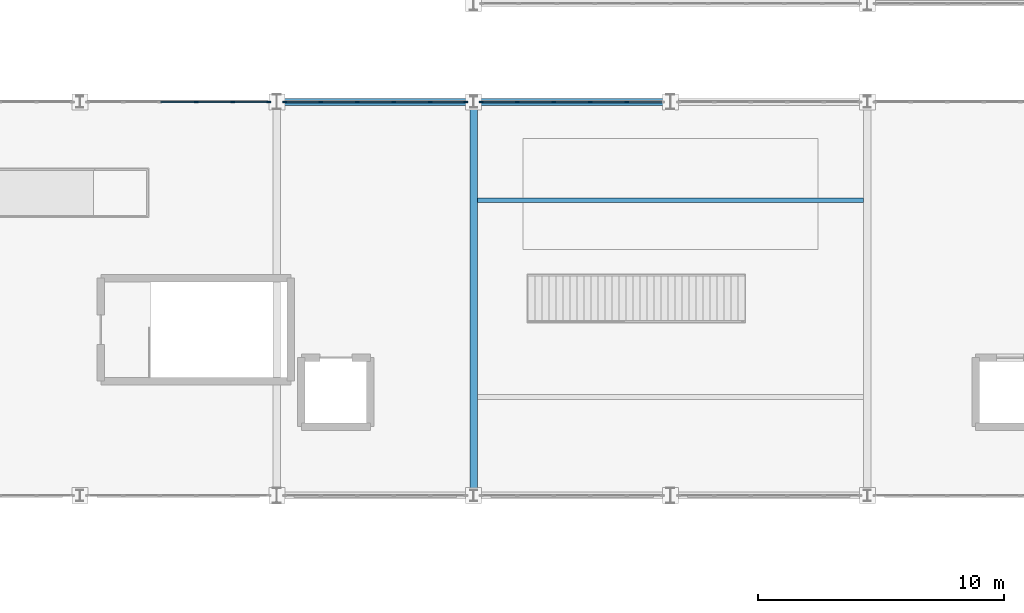
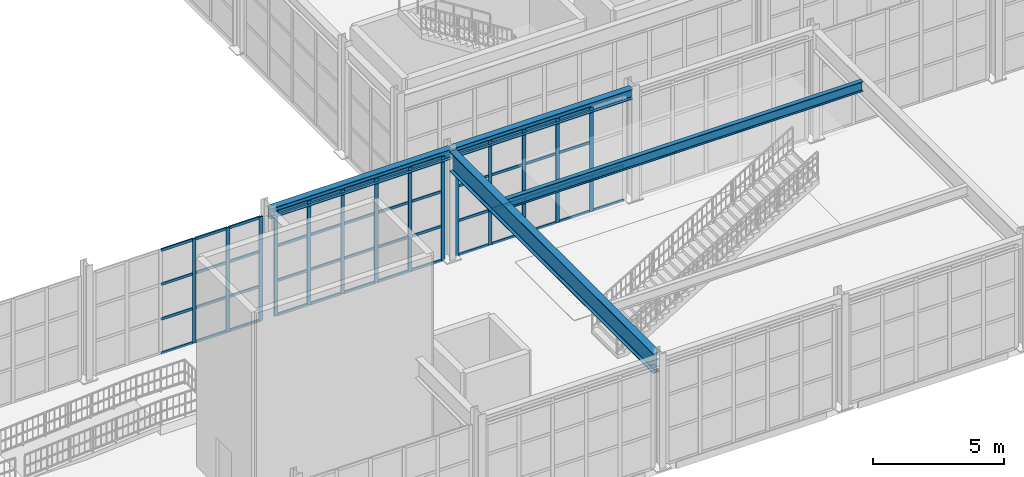
# One storey, part 31 of 82: 64 members, 4 beams, 3 elements without a shape of their own.
"""IFC4 building model written with IfcOpenShell, lengths in metres."""

import ifcopenshell
import ifcopenshell.guid

model = None  # the IFC model being written
_history = None  # IfcOwnerHistory: only IFC2X3 demands one
_inside = {}  # id of a spatial element -> (the spatial element, [elements in it])
_under = {}  # id of a project, library or spatial element -> (it, [spatial elements below it])
_declared = {}  # id of a project -> (the project, [libraries it declares])
_typed = {}  # id of a type object -> (the type object, [elements of that type])
_made_of = {}  # id of a material, layer set ... -> (it, [elements and type objects made of it])


def new_model(schema):
    """Start an empty IFC model of exactly this schema.

    Asked for "IFC4X3", IfcOpenShell would pick the latest addendum, in which some entities
    have other attributes; the version numbers below select the first issue.
    IFC2X3 requires an IfcOwnerHistory on every rooted entity: one is made here for all.
    """
    global model, _history
    if schema == "IFC4X3":
        model = ifcopenshell.file(schema_version=(4, 3, 0, 0))
    else:
        model = ifcopenshell.file(schema=schema)
    _inside.clear()
    _under.clear()
    _declared.clear()
    _typed.clear()
    _made_of.clear()
    _history = None
    if model.schema == "IFC2X3":
        org = make("IfcOrganization", Name="unknown")
        user = make(
            "IfcPersonAndOrganization",
            ThePerson=make("IfcPerson", FamilyName="unknown"),
            TheOrganization=org,
        )
        app = make(
            "IfcApplication",
            ApplicationDeveloper=org,
            Version="unknown",
            ApplicationFullName="unknown",
            ApplicationIdentifier="unknown",
        )
        _history = make(
            "IfcOwnerHistory",
            OwningUser=user,
            OwningApplication=app,
            ChangeAction="ADDED",
            CreationDate=0,
        )
    return model


def make(cls, **values):
    """One entity of the class cls with the attributes given. An attribute that is None is left unset."""
    return model.create_entity(
        cls, **{name: value for name, value in values.items() if value is not None}
    )


def rooted(cls, **values):
    """An entity with a GlobalId (a new one), such as an element, a storey or a relation."""
    return make(cls, GlobalId=ifcopenshell.guid.new(), OwnerHistory=_history, **values)


def si_unit(unit_type, name, prefix=None):
    """IfcSIUnit, for example si_unit("LENGTHUNIT", "METRE", prefix="MILLI")."""
    return make("IfcSIUnit", UnitType=unit_type, Prefix=prefix, Name=name)


def assignment(units):
    """IfcUnitAssignment: the units of a project."""
    return None if units is None else make("IfcUnitAssignment", Units=units)


def point(xyz):
    """IfcCartesianPoint."""
    return None if xyz is None else make("IfcCartesianPoint", Coordinates=xyz)


def direction(xyz):
    """IfcDirection."""
    return None if xyz is None else make("IfcDirection", DirectionRatios=xyz)


def frame(location, z_axis=None, x_axis=None):
    """IfcAxis2Placement3D, a coordinate frame: its origin and axes. An axis left out is left unset."""
    return make(
        "IfcAxis2Placement3D",
        Location=point(location),
        Axis=direction(z_axis),
        RefDirection=direction(x_axis),
    )


def frame_2d(location, x_axis=None):
    """IfcAxis2Placement2D, a coordinate frame in the plane: its origin and x axis."""
    return make(
        "IfcAxis2Placement2D", Location=point(location), RefDirection=direction(x_axis)
    )


def origin():
    """The frame at (0, 0, 0) with its axes left unset."""
    return frame((0.0, 0.0, 0.0))


def origin_2d():
    """The frame at (0, 0) in the plane with its x axis left unset."""
    return frame_2d((0.0, 0.0))


def place(relative_to, where):
    """IfcLocalPlacement: puts the frame where relative to a parent placement (None: the world)."""
    return make(
        "IfcLocalPlacement", PlacementRelTo=relative_to, RelativePlacement=where
    )


def context(
    kind, dimensions, precision=None, world=None, true_north=None, identifier=None
):
    """IfcGeometricRepresentationContext, for example the 3D "Model" context."""
    return make(
        "IfcGeometricRepresentationContext",
        ContextIdentifier=identifier,
        ContextType=kind,
        CoordinateSpaceDimension=dimensions,
        Precision=precision,
        WorldCoordinateSystem=world,
        TrueNorth=true_north,
    )


def subcontext(parent, identifier, kind, view, scale=None):
    """IfcGeometricRepresentationSubContext, for example "Body" below "Model"."""
    return make(
        "IfcGeometricRepresentationSubContext",
        ContextIdentifier=identifier,
        ContextType=kind,
        ParentContext=parent,
        TargetScale=scale,
        TargetView=view,
    )


def project(units=None, contexts=None):
    """IfcProject with its units and contexts."""
    return rooted(
        "IfcProject",
        Name="project",
        RepresentationContexts=contexts,
        UnitsInContext=assignment(units),
    )


def spatial(cls, under=None, at=None, **own):
    """A site, building, storey or space (cls), placed at a placement, below another one or the project."""
    s = rooted(cls, ObjectPlacement=at, **own)
    if under is not None:
        _under.setdefault(under.id(), (under, []))[1].append(s)
    return s


def profile(cls, at=None, kind="AREA", **sizes):
    """A parametric profile (cls). Its sizes go by their IFC names, for example OverallWidth=200.0."""
    return make(cls, ProfileType=kind, Position=at, **sizes)


def rectangle(**sizes):
    """IfcRectangleProfileDef."""
    return profile("IfcRectangleProfileDef", **sizes)


def i_section(**sizes):
    """IfcIShapeProfileDef."""
    return profile("IfcIShapeProfileDef", **sizes)


def extrude(swept, where, along, depth):
    """IfcExtrudedAreaSolid: the profile swept, set in the frame where, extruded along a direction by depth."""
    return make(
        "IfcExtrudedAreaSolid",
        SweptArea=swept,
        Position=where,
        ExtrudedDirection=direction(along),
        Depth=depth,
    )


def shape(context_of_items, identifier, shape_type, items):
    """IfcShapeRepresentation: the items that make up one representation, for example the "Body"."""
    return make(
        "IfcShapeRepresentation",
        ContextOfItems=context_of_items,
        RepresentationIdentifier=identifier,
        RepresentationType=shape_type,
        Items=items,
    )


def material(Name=None, Category=None):
    """IfcMaterial."""
    return make("IfcMaterial", Name=Name, Category=Category)


def material_profile(
    of_material, cross_section, Name=None, Category=None, Priority=None
):
    """IfcMaterialProfile: a cross section and its material."""
    return make(
        "IfcMaterialProfile",
        Name=Name,
        Material=of_material,
        Profile=cross_section,
        Priority=Priority,
        Category=Category,
    )


def profile_set(profiles, Name=None, composite=None):
    """IfcMaterialProfileSet."""
    return make(
        "IfcMaterialProfileSet",
        Name=Name,
        MaterialProfiles=profiles,
        CompositeProfile=composite,
    )


def made_of(thing, what):
    """Note that an element or type object is made of a material, layer set ...; save() writes the relation."""
    if what is not None:
        _made_of.setdefault(what.id(), (what, []))[1].append(thing)
    return thing


def type_object(cls, material=None, **own):
    """A type object (cls), such as IfcWallType, which elements share."""
    return made_of(rooted(cls, **own), material)


def element(
    cls,
    number,
    at=None,
    inside=None,
    cuts=None,
    type_object=None,
    material=None,
    context=None,
    identifier="Body",
    shape_type=None,
    held_by="IfcProductDefinitionShape",
    body=None,
    shapes=None,
    **own,
):
    """One element of the class cls, such as IfcWall. Its Tag is "e" and its number.

    at: its placement. inside: the storey or other place that contains it. cuts: it is an
    opening in that element (IfcRelVoidsElement). A single representation is given by context,
    identifier, shape_type and body (its items); several are given by shapes. held_by: the class
    of the entity that holds the representations. save() writes the other relations.
    """
    e = rooted(cls, Tag="e%d" % number, ObjectPlacement=at, **own)
    if body is not None:
        shapes = [shape(context, identifier, shape_type, body)]
    if shapes is not None:
        e.Representation = make(held_by, Representations=shapes)
    if inside is not None:
        _inside.setdefault(inside.id(), (inside, []))[1].append(e)
    if cuts is not None:
        rooted(
            "IfcRelVoidsElement", RelatingBuildingElement=cuts, RelatedOpeningElement=e
        )
    if type_object is not None:
        _typed.setdefault(type_object.id(), (type_object, []))[1].append(e)
    return made_of(e, material)


def aggregate(whole, parts):
    """IfcRelAggregates: a whole, such as a stair, and the parts it consists of."""
    return rooted("IfcRelAggregates", RelatingObject=whole, RelatedObjects=parts)


def save(model, path):
    """Write the relations noted so far, then the file.

    IfcRelAggregates (storeys below a building ...), IfcRelContainedInSpatialStructure (elements
    in a storey), IfcRelDefinesByType, IfcRelAssociatesMaterial and IfcRelDeclares: one each for
    every whole, place, type object, material and project.
    """
    for whole, parts in _under.values():
        aggregate(whole, parts)
    for where, things in _inside.values():
        rooted(
            "IfcRelContainedInSpatialStructure",
            RelatedElements=things,
            RelatingStructure=where,
        )
    for kind, things in _typed.values():
        rooted("IfcRelDefinesByType", RelatedObjects=things, RelatingType=kind)
    for what, things in _made_of.values():
        rooted("IfcRelAssociatesMaterial", RelatedObjects=things, RelatingMaterial=what)
    for by, libraries in _declared.values():
        rooted("IfcRelDeclares", RelatingContext=by, RelatedDefinitions=libraries)
    model.write(path)


model = new_model("IFC4")

# Units and contexts
model_context = context("Model", 3, precision=1e-05, world=origin(), true_north=direction((0.0, 1.0)))
body_context = subcontext(model_context, "Body", "Model", "MODEL_VIEW")
ifc_project = project(units=[si_unit("LENGTHUNIT", "METRE"), si_unit("AREAUNIT", "SQUARE_METRE"), si_unit("VOLUMEUNIT", "CUBIC_METRE"), si_unit("PLANEANGLEUNIT", "RADIAN"), si_unit("MASSUNIT", "GRAM", prefix="KILO")], contexts=[model_context])

# Site, building, storey
site_placement = place(None, origin())
site = spatial("IfcSite", under=ifc_project, at=site_placement, CompositionType="ELEMENT")
building_placement = place(site_placement, origin())
building = spatial("IfcBuilding", under=site, at=building_placement, Name="Serraluz Foothill Cableway Terminal", CompositionType="ELEMENT")
storey_placement = place(building_placement, frame((0.0, 0.0, 9.60009765625)))
storey = spatial("IfcBuildingStorey", under=building, at=storey_placement, Name="L02", CompositionType="ELEMENT", Elevation=9.60009765625)

# Beam
ifc_material_1 = material(Name="Steel ASTM A992 Grade 50", Category="steel")
ifc_material_profile_1 = material_profile(ifc_material_1, i_section(OverallWidth=0.30810546875, OverallDepth=0.927001953125, WebThickness=0.019287109375, FlangeThickness=0.031982421875, FilletRadius=0.02587890625, at=origin_2d()), Name="W36X194")
ifc_profile_set_1 = profile_set([ifc_material_profile_1], Name="Steel ASTM A992 Grade 50")
beam_type_1 = type_object("IfcBeamType", Name="TYP-BM-W36X194", PredefinedType="BEAM", material=ifc_profile_set_1)
beam_1_placement = place(storey_placement, frame((80.0, 56.23193359375, 4.6865234375), z_axis=(0.0, 1.0, 0.0), x_axis=(-1.0, 0.0, 0.0)))
element("IfcBeam", 1, at=beam_1_placement, inside=storey, type_object=beam_type_1, Name="Transverse Girder BM-Y-L02-0330", PredefinedType="BEAM", context=body_context, shape_type="SweptSolid", body=[
    extrude(i_section(OverallWidth=0.30810546875, OverallDepth=0.927001953125, WebThickness=0.019287109375, FlangeThickness=0.031982421875, FilletRadius=0.02587890625, at=origin_2d()), origin(), (0.0, 0.0, 1.0), 15.5361328125),
])

# Curtain wall, members
ifc_material_2 = material(Name="Architectural bronze alloy C28000", Category="aluminium")
curtain_wall_type_1 = type_object("IfcCurtainWallType", Name="TYP-CW-680X420", PredefinedType="NOTDEFINED", material=ifc_material_2)
curtain_wall_1_placement = place(storey_placement, origin())
curtain_wall_1 = element("IfcCurtainWall", 2, at=curtain_wall_1_placement, inside=storey, type_object=curtain_wall_type_1, Name="Ribbed Glazed Curtain Wall CW-V1N-L02-64", PredefinedType="NOTDEFINED")
ifc_material_profile_2 = material_profile(ifc_material_2, rectangle(XDim=0.06005859375, YDim=0.159912109375, at=origin_2d()), Name="ALU MULLION 60x160")
ifc_profile_set_2 = profile_set([ifc_material_profile_2], Name="Architectural bronze alloy C28000")
member_type_1 = type_object("IfcMemberType", Name="TYP-CW-MUL-60X160", PredefinedType="MULLION", material=ifc_profile_set_2)
member_1_placement = place(storey_placement, frame((68.731201171875, 72.0, 0.0), z_axis=(0.0, 0.0, 1.0), x_axis=(0.0, 1.0, 0.0)))
member_1 = element("IfcMember", 3, at=member_1_placement, type_object=member_type_1, Name="CW-13 mullion 4", PredefinedType="MULLION", context=body_context, shape_type="SweptSolid", body=[
    extrude(rectangle(XDim=0.06005859375, YDim=0.159912109375, at=origin_2d()), origin(), (0.0, 0.0, 1.0), 4.849853515625),
])
member_2_placement = place(storey_placement, frame((70.21435546875, 72.0, 0.0), z_axis=(0.0, 0.0, 1.0), x_axis=(0.0, 1.0, 0.0)))
member_2 = element("IfcMember", 4, at=member_2_placement, type_object=member_type_1, Name="CW-13 mullion 5", PredefinedType="MULLION", context=body_context, shape_type="SweptSolid", body=[
    extrude(rectangle(XDim=0.06005859375, YDim=0.159912109375, at=origin_2d()), origin(), (0.0, 0.0, 1.0), 4.849853515625),
])
member_3_placement = place(storey_placement, frame((71.66748046875, 72.0, 0.0), z_axis=(0.0, 0.0, 1.0), x_axis=(0.0, 1.0, 0.0)))
member_3 = element("IfcMember", 5, at=member_3_placement, type_object=member_type_1, Name="CW-13 mullion 6", PredefinedType="MULLION", context=body_context, shape_type="SweptSolid", body=[
    extrude(rectangle(XDim=0.06005859375, YDim=0.159912109375, at=origin_2d()), origin(), (0.0, 0.0, 1.0), 4.849853515625),
])

curtain_wall_type_2 = type_object("IfcCurtainWallType", Name="TYP-CW-480X380", PredefinedType="NOTDEFINED", material=ifc_material_2)
curtain_wall_2_placement = place(storey_placement, origin())
curtain_wall_2 = element("IfcCurtainWall", 6, at=curtain_wall_2_placement, inside=storey, type_object=curtain_wall_type_2, Name="Ribbed Glazed Curtain Wall CW-V1N-L02-72", PredefinedType="NOTDEFINED")
member_4_placement = place(storey_placement, frame((72.33251953125, 72.0, 0.0), z_axis=(0.0, 0.0, 1.0), x_axis=(0.0, 1.0, 0.0)))
member_4 = element("IfcMember", 7, at=member_4_placement, type_object=member_type_1, Name="CW-14 mullion 1", PredefinedType="MULLION", context=body_context, shape_type="SweptSolid", body=[
    extrude(rectangle(XDim=0.06005859375, YDim=0.159912109375, at=origin_2d()), origin(), (0.0, 0.0, 1.0), 4.849853515625),
])
member_5_placement = place(storey_placement, frame((73.78564453125, 72.0, 0.0), z_axis=(0.0, 0.0, 1.0), x_axis=(0.0, 1.0, 0.0)))
member_5 = element("IfcMember", 8, at=member_5_placement, type_object=member_type_1, Name="CW-14 mullion 2", PredefinedType="MULLION", context=body_context, shape_type="SweptSolid", body=[
    extrude(rectangle(XDim=0.06005859375, YDim=0.159912109375, at=origin_2d()), origin(), (0.0, 0.0, 1.0), 4.849853515625),
])
member_6_placement = place(storey_placement, frame((75.268798828125, 72.0, 0.0), z_axis=(0.0, 0.0, 1.0), x_axis=(0.0, 1.0, 0.0)))
member_6 = element("IfcMember", 9, at=member_6_placement, type_object=member_type_1, Name="CW-14 mullion 3", PredefinedType="MULLION", context=body_context, shape_type="SweptSolid", body=[
    extrude(rectangle(XDim=0.06005859375, YDim=0.159912109375, at=origin_2d()), origin(), (0.0, 0.0, 1.0), 4.849853515625),
])
member_7_placement = place(storey_placement, frame((76.752197265625, 72.0, 0.0), z_axis=(0.0, 0.0, 1.0), x_axis=(0.0, 1.0, 0.0)))
member_7 = element("IfcMember", 10, at=member_7_placement, type_object=member_type_1, Name="CW-14 mullion 4", PredefinedType="MULLION", context=body_context, shape_type="SweptSolid", body=[
    extrude(rectangle(XDim=0.06005859375, YDim=0.159912109375, at=origin_2d()), origin(), (0.0, 0.0, 1.0), 4.849853515625),
])
member_8_placement = place(storey_placement, frame((78.2353515625, 72.0, 0.0), z_axis=(0.0, 0.0, 1.0), x_axis=(0.0, 1.0, 0.0)))
member_8 = element("IfcMember", 11, at=member_8_placement, type_object=member_type_1, Name="CW-14 mullion 5", PredefinedType="MULLION", context=body_context, shape_type="SweptSolid", body=[
    extrude(rectangle(XDim=0.06005859375, YDim=0.159912109375, at=origin_2d()), origin(), (0.0, 0.0, 1.0), 4.849853515625),
])
member_9_placement = place(storey_placement, frame((79.6884765625, 72.0, 0.0), z_axis=(0.0, 0.0, 1.0), x_axis=(0.0, 1.0, 0.0)))
member_9 = element("IfcMember", 12, at=member_9_placement, type_object=member_type_1, Name="CW-14 mullion 6", PredefinedType="MULLION", context=body_context, shape_type="SweptSolid", body=[
    extrude(rectangle(XDim=0.06005859375, YDim=0.159912109375, at=origin_2d()), origin(), (0.0, 0.0, 1.0), 4.849853515625),
])

curtain_wall_type_3 = type_object("IfcCurtainWallType", Name="TYP-CW-480X420", PredefinedType="NOTDEFINED", material=ifc_material_2)
curtain_wall_3_placement = place(storey_placement, origin())
curtain_wall_3 = element("IfcCurtainWall", 13, at=curtain_wall_3_placement, inside=storey, type_object=curtain_wall_type_3, Name="Ribbed Glazed Curtain Wall CW-V1N-L02-80", PredefinedType="NOTDEFINED")
member_10_placement = place(storey_placement, frame((80.3115234375, 72.0, 0.0), z_axis=(0.0, 0.0, 1.0), x_axis=(0.0, 1.0, 0.0)))
member_10 = element("IfcMember", 14, at=member_10_placement, type_object=member_type_1, Name="CW-15 mullion 1", PredefinedType="MULLION", context=body_context, shape_type="SweptSolid", body=[
    extrude(rectangle(XDim=0.06005859375, YDim=0.159912109375, at=origin_2d()), origin(), (0.0, 0.0, 1.0), 4.849853515625),
])
member_11_placement = place(storey_placement, frame((81.7646484375, 72.0, 0.0), z_axis=(0.0, 0.0, 1.0), x_axis=(0.0, 1.0, 0.0)))
member_11 = element("IfcMember", 15, at=member_11_placement, type_object=member_type_1, Name="CW-15 mullion 2", PredefinedType="MULLION", context=body_context, shape_type="SweptSolid", body=[
    extrude(rectangle(XDim=0.06005859375, YDim=0.159912109375, at=origin_2d()), origin(), (0.0, 0.0, 1.0), 4.849853515625),
])
member_12_placement = place(storey_placement, frame((83.247802734375, 72.0, 0.0), z_axis=(0.0, 0.0, 1.0), x_axis=(0.0, 1.0, 0.0)))
member_12 = element("IfcMember", 16, at=member_12_placement, type_object=member_type_1, Name="CW-15 mullion 3", PredefinedType="MULLION", context=body_context, shape_type="SweptSolid", body=[
    extrude(rectangle(XDim=0.06005859375, YDim=0.159912109375, at=origin_2d()), origin(), (0.0, 0.0, 1.0), 4.849853515625),
])
member_13_placement = place(storey_placement, frame((84.731201171875, 72.0, 0.0), z_axis=(0.0, 0.0, 1.0), x_axis=(0.0, 1.0, 0.0)))
member_13 = element("IfcMember", 17, at=member_13_placement, type_object=member_type_1, Name="CW-15 mullion 4", PredefinedType="MULLION", context=body_context, shape_type="SweptSolid", body=[
    extrude(rectangle(XDim=0.06005859375, YDim=0.159912109375, at=origin_2d()), origin(), (0.0, 0.0, 1.0), 4.849853515625),
])
member_14_placement = place(storey_placement, frame((86.21435546875, 72.0, 0.0), z_axis=(0.0, 0.0, 1.0), x_axis=(0.0, 1.0, 0.0)))
member_14 = element("IfcMember", 18, at=member_14_placement, type_object=member_type_1, Name="CW-15 mullion 5", PredefinedType="MULLION", context=body_context, shape_type="SweptSolid", body=[
    extrude(rectangle(XDim=0.06005859375, YDim=0.159912109375, at=origin_2d()), origin(), (0.0, 0.0, 1.0), 4.849853515625),
])

# Member
ifc_material_profile_3 = material_profile(ifc_material_2, rectangle(XDim=0.06005859375, YDim=0.1201171875, at=origin_2d()), Name="ALU TRANSOM 60x120")
ifc_profile_set_3 = profile_set([ifc_material_profile_3], Name="Architectural bronze alloy C28000")
member_type_2 = type_object("IfcMemberType", Name="TYP-CW-TRN-60X120", PredefinedType="USERDEFINED", material=ifc_profile_set_3)
member_15_placement = place(storey_placement, frame((67.27783203125, 72.0, 0.02978515625), z_axis=(1.0, 0.0, 0.0), x_axis=(0.0, 1.0, 0.0)))
member_15 = element("IfcMember", 19, at=member_15_placement, type_object=member_type_2, Name="CW-13 transom 3.1", ObjectType="TRANSOM", PredefinedType="USERDEFINED", context=body_context, shape_type="SweptSolid", body=[
    extrude(rectangle(XDim=0.06005859375, YDim=0.1201171875, at=origin_2d()), origin(), (0.0, 0.0, 1.0), 1.42333984375),
])

member_16_placement = place(storey_placement, frame((67.27783203125, 72.0, 1.61669921875), z_axis=(1.0, 0.0, 0.0), x_axis=(0.0, 1.0, 0.0)))
member_16 = element("IfcMember", 20, at=member_16_placement, type_object=member_type_2, Name="CW-13 transom 3.2", ObjectType="TRANSOM", PredefinedType="USERDEFINED", context=body_context, shape_type="SweptSolid", body=[
    extrude(rectangle(XDim=0.06005859375, YDim=0.1201171875, at=origin_2d()), origin(), (0.0, 0.0, 1.0), 1.42333984375),
])

member_17_placement = place(storey_placement, frame((67.27783203125, 72.0, 3.233154296875), z_axis=(1.0, 0.0, 0.0), x_axis=(0.0, 1.0, 0.0)))
member_17 = element("IfcMember", 21, at=member_17_placement, type_object=member_type_2, Name="CW-13 transom 3.3", ObjectType="TRANSOM", PredefinedType="USERDEFINED", context=body_context, shape_type="SweptSolid", body=[
    extrude(rectangle(XDim=0.06005859375, YDim=0.1201171875, at=origin_2d()), origin(), (0.0, 0.0, 1.0), 1.42333984375),
])

member_18_placement = place(storey_placement, frame((67.27783203125, 72.0, 4.81982421875), z_axis=(1.0, 0.0, 0.0), x_axis=(0.0, 1.0, 0.0)))
member_18 = element("IfcMember", 22, at=member_18_placement, type_object=member_type_2, Name="CW-13 transom 3.4", ObjectType="TRANSOM", PredefinedType="USERDEFINED", context=body_context, shape_type="SweptSolid", body=[
    extrude(rectangle(XDim=0.06005859375, YDim=0.1201171875, at=origin_2d()), origin(), (0.0, 0.0, 1.0), 1.42333984375),
])

member_19_placement = place(storey_placement, frame((68.760986328125, 72.0, 0.02978515625), z_axis=(1.0, 0.0, 0.0), x_axis=(0.0, 1.0, 0.0)))
member_19 = element("IfcMember", 23, at=member_19_placement, type_object=member_type_2, Name="CW-13 transom 4.1", ObjectType="TRANSOM", PredefinedType="USERDEFINED", context=body_context, shape_type="SweptSolid", body=[
    extrude(rectangle(XDim=0.06005859375, YDim=0.1201171875, at=origin_2d()), origin(), (0.0, 0.0, 1.0), 1.42333984375),
])

member_20_placement = place(storey_placement, frame((68.760986328125, 72.0, 1.61669921875), z_axis=(1.0, 0.0, 0.0), x_axis=(0.0, 1.0, 0.0)))
member_20 = element("IfcMember", 24, at=member_20_placement, type_object=member_type_2, Name="CW-13 transom 4.2", ObjectType="TRANSOM", PredefinedType="USERDEFINED", context=body_context, shape_type="SweptSolid", body=[
    extrude(rectangle(XDim=0.06005859375, YDim=0.1201171875, at=origin_2d()), origin(), (0.0, 0.0, 1.0), 1.42333984375),
])

member_21_placement = place(storey_placement, frame((68.760986328125, 72.0, 3.233154296875), z_axis=(1.0, 0.0, 0.0), x_axis=(0.0, 1.0, 0.0)))
member_21 = element("IfcMember", 25, at=member_21_placement, type_object=member_type_2, Name="CW-13 transom 4.3", ObjectType="TRANSOM", PredefinedType="USERDEFINED", context=body_context, shape_type="SweptSolid", body=[
    extrude(rectangle(XDim=0.06005859375, YDim=0.1201171875, at=origin_2d()), origin(), (0.0, 0.0, 1.0), 1.42333984375),
])

member_22_placement = place(storey_placement, frame((68.760986328125, 72.0, 4.81982421875), z_axis=(1.0, 0.0, 0.0), x_axis=(0.0, 1.0, 0.0)))
member_22 = element("IfcMember", 26, at=member_22_placement, type_object=member_type_2, Name="CW-13 transom 4.4", ObjectType="TRANSOM", PredefinedType="USERDEFINED", context=body_context, shape_type="SweptSolid", body=[
    extrude(rectangle(XDim=0.06005859375, YDim=0.1201171875, at=origin_2d()), origin(), (0.0, 0.0, 1.0), 1.42333984375),
])

member_23_placement = place(storey_placement, frame((70.244384765625, 72.0, 0.02978515625), z_axis=(1.0, 0.0, 0.0), x_axis=(0.0, 1.0, 0.0)))
member_23 = element("IfcMember", 27, at=member_23_placement, type_object=member_type_2, Name="CW-13 transom 5.1", ObjectType="TRANSOM", PredefinedType="USERDEFINED", context=body_context, shape_type="SweptSolid", body=[
    extrude(rectangle(XDim=0.06005859375, YDim=0.1201171875, at=origin_2d()), origin(), (0.0, 0.0, 1.0), 1.39306640625),
])

member_24_placement = place(storey_placement, frame((70.244384765625, 72.0, 1.61669921875), z_axis=(1.0, 0.0, 0.0), x_axis=(0.0, 1.0, 0.0)))
member_24 = element("IfcMember", 28, at=member_24_placement, type_object=member_type_2, Name="CW-13 transom 5.2", ObjectType="TRANSOM", PredefinedType="USERDEFINED", context=body_context, shape_type="SweptSolid", body=[
    extrude(rectangle(XDim=0.06005859375, YDim=0.1201171875, at=origin_2d()), origin(), (0.0, 0.0, 1.0), 1.39306640625),
])

member_25_placement = place(storey_placement, frame((70.244384765625, 72.0, 3.233154296875), z_axis=(1.0, 0.0, 0.0), x_axis=(0.0, 1.0, 0.0)))
member_25 = element("IfcMember", 29, at=member_25_placement, type_object=member_type_2, Name="CW-13 transom 5.3", ObjectType="TRANSOM", PredefinedType="USERDEFINED", context=body_context, shape_type="SweptSolid", body=[
    extrude(rectangle(XDim=0.06005859375, YDim=0.1201171875, at=origin_2d()), origin(), (0.0, 0.0, 1.0), 1.39306640625),
])

member_26_placement = place(storey_placement, frame((70.244384765625, 72.0, 4.81982421875), z_axis=(1.0, 0.0, 0.0), x_axis=(0.0, 1.0, 0.0)))
member_26 = element("IfcMember", 30, at=member_26_placement, type_object=member_type_2, Name="CW-13 transom 5.4", ObjectType="TRANSOM", PredefinedType="USERDEFINED", context=body_context, shape_type="SweptSolid", body=[
    extrude(rectangle(XDim=0.06005859375, YDim=0.1201171875, at=origin_2d()), origin(), (0.0, 0.0, 1.0), 1.39306640625),
])

aggregate(curtain_wall_1, [member_1, member_2, member_3, member_15, member_16, member_17, member_18, member_19, member_20, member_21, member_22, member_23, member_24, member_25, member_26])

member_27_placement = place(storey_placement, frame((72.362548828125, 72.0, 0.02978515625), z_axis=(1.0, 0.0, 0.0), x_axis=(0.0, 1.0, 0.0)))
member_27 = element("IfcMember", 31, at=member_27_placement, type_object=member_type_2, Name="CW-14 transom 1.1", ObjectType="TRANSOM", PredefinedType="USERDEFINED", context=body_context, shape_type="SweptSolid", body=[
    extrude(rectangle(XDim=0.06005859375, YDim=0.1201171875, at=origin_2d()), origin(), (0.0, 0.0, 1.0), 1.39306640625),
])

member_28_placement = place(storey_placement, frame((72.362548828125, 72.0, 1.61669921875), z_axis=(1.0, 0.0, 0.0), x_axis=(0.0, 1.0, 0.0)))
member_28 = element("IfcMember", 32, at=member_28_placement, type_object=member_type_2, Name="CW-14 transom 1.2", ObjectType="TRANSOM", PredefinedType="USERDEFINED", context=body_context, shape_type="SweptSolid", body=[
    extrude(rectangle(XDim=0.06005859375, YDim=0.1201171875, at=origin_2d()), origin(), (0.0, 0.0, 1.0), 1.39306640625),
])

member_29_placement = place(storey_placement, frame((72.362548828125, 72.0, 3.233154296875), z_axis=(1.0, 0.0, 0.0), x_axis=(0.0, 1.0, 0.0)))
member_29 = element("IfcMember", 33, at=member_29_placement, type_object=member_type_2, Name="CW-14 transom 1.3", ObjectType="TRANSOM", PredefinedType="USERDEFINED", context=body_context, shape_type="SweptSolid", body=[
    extrude(rectangle(XDim=0.06005859375, YDim=0.1201171875, at=origin_2d()), origin(), (0.0, 0.0, 1.0), 1.39306640625),
])

member_30_placement = place(storey_placement, frame((72.362548828125, 72.0, 4.81982421875), z_axis=(1.0, 0.0, 0.0), x_axis=(0.0, 1.0, 0.0)))
member_30 = element("IfcMember", 34, at=member_30_placement, type_object=member_type_2, Name="CW-14 transom 1.4", ObjectType="TRANSOM", PredefinedType="USERDEFINED", context=body_context, shape_type="SweptSolid", body=[
    extrude(rectangle(XDim=0.06005859375, YDim=0.1201171875, at=origin_2d()), origin(), (0.0, 0.0, 1.0), 1.39306640625),
])

member_31_placement = place(storey_placement, frame((73.815673828125, 72.0, 0.02978515625), z_axis=(1.0, 0.0, 0.0), x_axis=(0.0, 1.0, 0.0)))
member_31 = element("IfcMember", 35, at=member_31_placement, type_object=member_type_2, Name="CW-14 transom 2.1", ObjectType="TRANSOM", PredefinedType="USERDEFINED", context=body_context, shape_type="SweptSolid", body=[
    extrude(rectangle(XDim=0.06005859375, YDim=0.1201171875, at=origin_2d()), origin(), (0.0, 0.0, 1.0), 1.42333984375),
])

member_32_placement = place(storey_placement, frame((73.815673828125, 72.0, 1.61669921875), z_axis=(1.0, 0.0, 0.0), x_axis=(0.0, 1.0, 0.0)))
member_32 = element("IfcMember", 36, at=member_32_placement, type_object=member_type_2, Name="CW-14 transom 2.2", ObjectType="TRANSOM", PredefinedType="USERDEFINED", context=body_context, shape_type="SweptSolid", body=[
    extrude(rectangle(XDim=0.06005859375, YDim=0.1201171875, at=origin_2d()), origin(), (0.0, 0.0, 1.0), 1.42333984375),
])

member_33_placement = place(storey_placement, frame((73.815673828125, 72.0, 3.233154296875), z_axis=(1.0, 0.0, 0.0), x_axis=(0.0, 1.0, 0.0)))
member_33 = element("IfcMember", 37, at=member_33_placement, type_object=member_type_2, Name="CW-14 transom 2.3", ObjectType="TRANSOM", PredefinedType="USERDEFINED", context=body_context, shape_type="SweptSolid", body=[
    extrude(rectangle(XDim=0.06005859375, YDim=0.1201171875, at=origin_2d()), origin(), (0.0, 0.0, 1.0), 1.42333984375),
])

member_34_placement = place(storey_placement, frame((73.815673828125, 72.0, 4.81982421875), z_axis=(1.0, 0.0, 0.0), x_axis=(0.0, 1.0, 0.0)))
member_34 = element("IfcMember", 38, at=member_34_placement, type_object=member_type_2, Name="CW-14 transom 2.4", ObjectType="TRANSOM", PredefinedType="USERDEFINED", context=body_context, shape_type="SweptSolid", body=[
    extrude(rectangle(XDim=0.06005859375, YDim=0.1201171875, at=origin_2d()), origin(), (0.0, 0.0, 1.0), 1.42333984375),
])

member_35_placement = place(storey_placement, frame((75.298828125, 72.0, 0.02978515625), z_axis=(1.0, 0.0, 0.0), x_axis=(0.0, 1.0, 0.0)))
member_35 = element("IfcMember", 39, at=member_35_placement, type_object=member_type_2, Name="CW-14 transom 3.1", ObjectType="TRANSOM", PredefinedType="USERDEFINED", context=body_context, shape_type="SweptSolid", body=[
    extrude(rectangle(XDim=0.06005859375, YDim=0.1201171875, at=origin_2d()), origin(), (0.0, 0.0, 1.0), 1.42333984375),
])

member_36_placement = place(storey_placement, frame((75.298828125, 72.0, 1.61669921875), z_axis=(1.0, 0.0, 0.0), x_axis=(0.0, 1.0, 0.0)))
member_36 = element("IfcMember", 40, at=member_36_placement, type_object=member_type_2, Name="CW-14 transom 3.2", ObjectType="TRANSOM", PredefinedType="USERDEFINED", context=body_context, shape_type="SweptSolid", body=[
    extrude(rectangle(XDim=0.06005859375, YDim=0.1201171875, at=origin_2d()), origin(), (0.0, 0.0, 1.0), 1.42333984375),
])

member_37_placement = place(storey_placement, frame((75.298828125, 72.0, 3.233154296875), z_axis=(1.0, 0.0, 0.0), x_axis=(0.0, 1.0, 0.0)))
member_37 = element("IfcMember", 41, at=member_37_placement, type_object=member_type_2, Name="CW-14 transom 3.3", ObjectType="TRANSOM", PredefinedType="USERDEFINED", context=body_context, shape_type="SweptSolid", body=[
    extrude(rectangle(XDim=0.06005859375, YDim=0.1201171875, at=origin_2d()), origin(), (0.0, 0.0, 1.0), 1.42333984375),
])

member_38_placement = place(storey_placement, frame((75.298828125, 72.0, 4.81982421875), z_axis=(1.0, 0.0, 0.0), x_axis=(0.0, 1.0, 0.0)))
member_38 = element("IfcMember", 42, at=member_38_placement, type_object=member_type_2, Name="CW-14 transom 3.4", ObjectType="TRANSOM", PredefinedType="USERDEFINED", context=body_context, shape_type="SweptSolid", body=[
    extrude(rectangle(XDim=0.06005859375, YDim=0.1201171875, at=origin_2d()), origin(), (0.0, 0.0, 1.0), 1.42333984375),
])

member_39_placement = place(storey_placement, frame((76.781982421875, 72.0, 0.02978515625), z_axis=(1.0, 0.0, 0.0), x_axis=(0.0, 1.0, 0.0)))
member_39 = element("IfcMember", 43, at=member_39_placement, type_object=member_type_2, Name="CW-14 transom 4.1", ObjectType="TRANSOM", PredefinedType="USERDEFINED", context=body_context, shape_type="SweptSolid", body=[
    extrude(rectangle(XDim=0.06005859375, YDim=0.1201171875, at=origin_2d()), origin(), (0.0, 0.0, 1.0), 1.42333984375),
])

member_40_placement = place(storey_placement, frame((76.781982421875, 72.0, 1.61669921875), z_axis=(1.0, 0.0, 0.0), x_axis=(0.0, 1.0, 0.0)))
member_40 = element("IfcMember", 44, at=member_40_placement, type_object=member_type_2, Name="CW-14 transom 4.2", ObjectType="TRANSOM", PredefinedType="USERDEFINED", context=body_context, shape_type="SweptSolid", body=[
    extrude(rectangle(XDim=0.06005859375, YDim=0.1201171875, at=origin_2d()), origin(), (0.0, 0.0, 1.0), 1.42333984375),
])

member_41_placement = place(storey_placement, frame((76.781982421875, 72.0, 3.233154296875), z_axis=(1.0, 0.0, 0.0), x_axis=(0.0, 1.0, 0.0)))
member_41 = element("IfcMember", 45, at=member_41_placement, type_object=member_type_2, Name="CW-14 transom 4.3", ObjectType="TRANSOM", PredefinedType="USERDEFINED", context=body_context, shape_type="SweptSolid", body=[
    extrude(rectangle(XDim=0.06005859375, YDim=0.1201171875, at=origin_2d()), origin(), (0.0, 0.0, 1.0), 1.42333984375),
])

member_42_placement = place(storey_placement, frame((76.781982421875, 72.0, 4.81982421875), z_axis=(1.0, 0.0, 0.0), x_axis=(0.0, 1.0, 0.0)))
member_42 = element("IfcMember", 46, at=member_42_placement, type_object=member_type_2, Name="CW-14 transom 4.4", ObjectType="TRANSOM", PredefinedType="USERDEFINED", context=body_context, shape_type="SweptSolid", body=[
    extrude(rectangle(XDim=0.06005859375, YDim=0.1201171875, at=origin_2d()), origin(), (0.0, 0.0, 1.0), 1.42333984375),
])

member_43_placement = place(storey_placement, frame((78.265380859375, 72.0, 0.02978515625), z_axis=(1.0, 0.0, 0.0), x_axis=(0.0, 1.0, 0.0)))
member_43 = element("IfcMember", 47, at=member_43_placement, type_object=member_type_2, Name="CW-14 transom 5.1", ObjectType="TRANSOM", PredefinedType="USERDEFINED", context=body_context, shape_type="SweptSolid", body=[
    extrude(rectangle(XDim=0.06005859375, YDim=0.1201171875, at=origin_2d()), origin(), (0.0, 0.0, 1.0), 1.39306640625),
])

member_44_placement = place(storey_placement, frame((78.265380859375, 72.0, 1.61669921875), z_axis=(1.0, 0.0, 0.0), x_axis=(0.0, 1.0, 0.0)))
member_44 = element("IfcMember", 48, at=member_44_placement, type_object=member_type_2, Name="CW-14 transom 5.2", ObjectType="TRANSOM", PredefinedType="USERDEFINED", context=body_context, shape_type="SweptSolid", body=[
    extrude(rectangle(XDim=0.06005859375, YDim=0.1201171875, at=origin_2d()), origin(), (0.0, 0.0, 1.0), 1.39306640625),
])

member_45_placement = place(storey_placement, frame((78.265380859375, 72.0, 3.233154296875), z_axis=(1.0, 0.0, 0.0), x_axis=(0.0, 1.0, 0.0)))
member_45 = element("IfcMember", 49, at=member_45_placement, type_object=member_type_2, Name="CW-14 transom 5.3", ObjectType="TRANSOM", PredefinedType="USERDEFINED", context=body_context, shape_type="SweptSolid", body=[
    extrude(rectangle(XDim=0.06005859375, YDim=0.1201171875, at=origin_2d()), origin(), (0.0, 0.0, 1.0), 1.39306640625),
])

member_46_placement = place(storey_placement, frame((78.265380859375, 72.0, 4.81982421875), z_axis=(1.0, 0.0, 0.0), x_axis=(0.0, 1.0, 0.0)))
member_46 = element("IfcMember", 50, at=member_46_placement, type_object=member_type_2, Name="CW-14 transom 5.4", ObjectType="TRANSOM", PredefinedType="USERDEFINED", context=body_context, shape_type="SweptSolid", body=[
    extrude(rectangle(XDim=0.06005859375, YDim=0.1201171875, at=origin_2d()), origin(), (0.0, 0.0, 1.0), 1.39306640625),
])

aggregate(curtain_wall_2, [member_4, member_5, member_6, member_7, member_8, member_9, member_27, member_28, member_29, member_30, member_31, member_32, member_33, member_34, member_35, member_36, member_37, member_38, member_39, member_40, member_41, member_42, member_43, member_44, member_45, member_46])

member_47_placement = place(storey_placement, frame((80.341552734375, 72.0, 0.02978515625), z_axis=(1.0, 0.0, 0.0), x_axis=(0.0, 1.0, 0.0)))
member_47 = element("IfcMember", 51, at=member_47_placement, type_object=member_type_2, Name="CW-15 transom 1.1", ObjectType="TRANSOM", PredefinedType="USERDEFINED", context=body_context, shape_type="SweptSolid", body=[
    extrude(rectangle(XDim=0.06005859375, YDim=0.1201171875, at=origin_2d()), origin(), (0.0, 0.0, 1.0), 1.39306640625),
])

member_48_placement = place(storey_placement, frame((80.341552734375, 72.0, 1.61669921875), z_axis=(1.0, 0.0, 0.0), x_axis=(0.0, 1.0, 0.0)))
member_48 = element("IfcMember", 52, at=member_48_placement, type_object=member_type_2, Name="CW-15 transom 1.2", ObjectType="TRANSOM", PredefinedType="USERDEFINED", context=body_context, shape_type="SweptSolid", body=[
    extrude(rectangle(XDim=0.06005859375, YDim=0.1201171875, at=origin_2d()), origin(), (0.0, 0.0, 1.0), 1.39306640625),
])

member_49_placement = place(storey_placement, frame((80.341552734375, 72.0, 3.233154296875), z_axis=(1.0, 0.0, 0.0), x_axis=(0.0, 1.0, 0.0)))
member_49 = element("IfcMember", 53, at=member_49_placement, type_object=member_type_2, Name="CW-15 transom 1.3", ObjectType="TRANSOM", PredefinedType="USERDEFINED", context=body_context, shape_type="SweptSolid", body=[
    extrude(rectangle(XDim=0.06005859375, YDim=0.1201171875, at=origin_2d()), origin(), (0.0, 0.0, 1.0), 1.39306640625),
])

member_50_placement = place(storey_placement, frame((80.341552734375, 72.0, 4.81982421875), z_axis=(1.0, 0.0, 0.0), x_axis=(0.0, 1.0, 0.0)))
member_50 = element("IfcMember", 54, at=member_50_placement, type_object=member_type_2, Name="CW-15 transom 1.4", ObjectType="TRANSOM", PredefinedType="USERDEFINED", context=body_context, shape_type="SweptSolid", body=[
    extrude(rectangle(XDim=0.06005859375, YDim=0.1201171875, at=origin_2d()), origin(), (0.0, 0.0, 1.0), 1.39306640625),
])

member_51_placement = place(storey_placement, frame((81.794677734375, 72.0, 0.02978515625), z_axis=(1.0, 0.0, 0.0), x_axis=(0.0, 1.0, 0.0)))
member_51 = element("IfcMember", 55, at=member_51_placement, type_object=member_type_2, Name="CW-15 transom 2.1", ObjectType="TRANSOM", PredefinedType="USERDEFINED", context=body_context, shape_type="SweptSolid", body=[
    extrude(rectangle(XDim=0.06005859375, YDim=0.1201171875, at=origin_2d()), origin(), (0.0, 0.0, 1.0), 1.42333984375),
])

member_52_placement = place(storey_placement, frame((81.794677734375, 72.0, 1.61669921875), z_axis=(1.0, 0.0, 0.0), x_axis=(0.0, 1.0, 0.0)))
member_52 = element("IfcMember", 56, at=member_52_placement, type_object=member_type_2, Name="CW-15 transom 2.2", ObjectType="TRANSOM", PredefinedType="USERDEFINED", context=body_context, shape_type="SweptSolid", body=[
    extrude(rectangle(XDim=0.06005859375, YDim=0.1201171875, at=origin_2d()), origin(), (0.0, 0.0, 1.0), 1.42333984375),
])

member_53_placement = place(storey_placement, frame((81.794677734375, 72.0, 3.233154296875), z_axis=(1.0, 0.0, 0.0), x_axis=(0.0, 1.0, 0.0)))
member_53 = element("IfcMember", 57, at=member_53_placement, type_object=member_type_2, Name="CW-15 transom 2.3", ObjectType="TRANSOM", PredefinedType="USERDEFINED", context=body_context, shape_type="SweptSolid", body=[
    extrude(rectangle(XDim=0.06005859375, YDim=0.1201171875, at=origin_2d()), origin(), (0.0, 0.0, 1.0), 1.42333984375),
])

member_54_placement = place(storey_placement, frame((81.794677734375, 72.0, 4.81982421875), z_axis=(1.0, 0.0, 0.0), x_axis=(0.0, 1.0, 0.0)))
member_54 = element("IfcMember", 58, at=member_54_placement, type_object=member_type_2, Name="CW-15 transom 2.4", ObjectType="TRANSOM", PredefinedType="USERDEFINED", context=body_context, shape_type="SweptSolid", body=[
    extrude(rectangle(XDim=0.06005859375, YDim=0.1201171875, at=origin_2d()), origin(), (0.0, 0.0, 1.0), 1.42333984375),
])

member_55_placement = place(storey_placement, frame((83.27783203125, 72.0, 0.02978515625), z_axis=(1.0, 0.0, 0.0), x_axis=(0.0, 1.0, 0.0)))
member_55 = element("IfcMember", 59, at=member_55_placement, type_object=member_type_2, Name="CW-15 transom 3.1", ObjectType="TRANSOM", PredefinedType="USERDEFINED", context=body_context, shape_type="SweptSolid", body=[
    extrude(rectangle(XDim=0.06005859375, YDim=0.1201171875, at=origin_2d()), origin(), (0.0, 0.0, 1.0), 1.42333984375),
])

member_56_placement = place(storey_placement, frame((83.27783203125, 72.0, 1.61669921875), z_axis=(1.0, 0.0, 0.0), x_axis=(0.0, 1.0, 0.0)))
member_56 = element("IfcMember", 60, at=member_56_placement, type_object=member_type_2, Name="CW-15 transom 3.2", ObjectType="TRANSOM", PredefinedType="USERDEFINED", context=body_context, shape_type="SweptSolid", body=[
    extrude(rectangle(XDim=0.06005859375, YDim=0.1201171875, at=origin_2d()), origin(), (0.0, 0.0, 1.0), 1.42333984375),
])

member_57_placement = place(storey_placement, frame((83.27783203125, 72.0, 3.233154296875), z_axis=(1.0, 0.0, 0.0), x_axis=(0.0, 1.0, 0.0)))
member_57 = element("IfcMember", 61, at=member_57_placement, type_object=member_type_2, Name="CW-15 transom 3.3", ObjectType="TRANSOM", PredefinedType="USERDEFINED", context=body_context, shape_type="SweptSolid", body=[
    extrude(rectangle(XDim=0.06005859375, YDim=0.1201171875, at=origin_2d()), origin(), (0.0, 0.0, 1.0), 1.42333984375),
])

member_58_placement = place(storey_placement, frame((83.27783203125, 72.0, 4.81982421875), z_axis=(1.0, 0.0, 0.0), x_axis=(0.0, 1.0, 0.0)))
member_58 = element("IfcMember", 62, at=member_58_placement, type_object=member_type_2, Name="CW-15 transom 3.4", ObjectType="TRANSOM", PredefinedType="USERDEFINED", context=body_context, shape_type="SweptSolid", body=[
    extrude(rectangle(XDim=0.06005859375, YDim=0.1201171875, at=origin_2d()), origin(), (0.0, 0.0, 1.0), 1.42333984375),
])

member_59_placement = place(storey_placement, frame((84.760986328125, 72.0, 0.02978515625), z_axis=(1.0, 0.0, 0.0), x_axis=(0.0, 1.0, 0.0)))
member_59 = element("IfcMember", 63, at=member_59_placement, type_object=member_type_2, Name="CW-15 transom 4.1", ObjectType="TRANSOM", PredefinedType="USERDEFINED", context=body_context, shape_type="SweptSolid", body=[
    extrude(rectangle(XDim=0.06005859375, YDim=0.1201171875, at=origin_2d()), origin(), (0.0, 0.0, 1.0), 1.42333984375),
])

member_60_placement = place(storey_placement, frame((84.760986328125, 72.0, 1.61669921875), z_axis=(1.0, 0.0, 0.0), x_axis=(0.0, 1.0, 0.0)))
member_60 = element("IfcMember", 64, at=member_60_placement, type_object=member_type_2, Name="CW-15 transom 4.2", ObjectType="TRANSOM", PredefinedType="USERDEFINED", context=body_context, shape_type="SweptSolid", body=[
    extrude(rectangle(XDim=0.06005859375, YDim=0.1201171875, at=origin_2d()), origin(), (0.0, 0.0, 1.0), 1.42333984375),
])

member_61_placement = place(storey_placement, frame((84.760986328125, 72.0, 3.233154296875), z_axis=(1.0, 0.0, 0.0), x_axis=(0.0, 1.0, 0.0)))
member_61 = element("IfcMember", 65, at=member_61_placement, type_object=member_type_2, Name="CW-15 transom 4.3", ObjectType="TRANSOM", PredefinedType="USERDEFINED", context=body_context, shape_type="SweptSolid", body=[
    extrude(rectangle(XDim=0.06005859375, YDim=0.1201171875, at=origin_2d()), origin(), (0.0, 0.0, 1.0), 1.42333984375),
])

member_62_placement = place(storey_placement, frame((84.760986328125, 72.0, 4.81982421875), z_axis=(1.0, 0.0, 0.0), x_axis=(0.0, 1.0, 0.0)))
member_62 = element("IfcMember", 66, at=member_62_placement, type_object=member_type_2, Name="CW-15 transom 4.4", ObjectType="TRANSOM", PredefinedType="USERDEFINED", context=body_context, shape_type="SweptSolid", body=[
    extrude(rectangle(XDim=0.06005859375, YDim=0.1201171875, at=origin_2d()), origin(), (0.0, 0.0, 1.0), 1.42333984375),
])

member_63_placement = place(storey_placement, frame((86.244384765625, 72.0, 0.02978515625), z_axis=(1.0, 0.0, 0.0), x_axis=(0.0, 1.0, 0.0)))
member_63 = element("IfcMember", 67, at=member_63_placement, type_object=member_type_2, Name="CW-15 transom 5.1", ObjectType="TRANSOM", PredefinedType="USERDEFINED", context=body_context, shape_type="SweptSolid", body=[
    extrude(rectangle(XDim=0.06005859375, YDim=0.1201171875, at=origin_2d()), origin(), (0.0, 0.0, 1.0), 1.39306640625),
])

member_64_placement = place(storey_placement, frame((86.244384765625, 72.0, 1.61669921875), z_axis=(1.0, 0.0, 0.0), x_axis=(0.0, 1.0, 0.0)))
member_64 = element("IfcMember", 68, at=member_64_placement, type_object=member_type_2, Name="CW-15 transom 5.2", ObjectType="TRANSOM", PredefinedType="USERDEFINED", context=body_context, shape_type="SweptSolid", body=[
    extrude(rectangle(XDim=0.06005859375, YDim=0.1201171875, at=origin_2d()), origin(), (0.0, 0.0, 1.0), 1.39306640625),
])

aggregate(curtain_wall_3, [member_10, member_11, member_12, member_13, member_14, member_47, member_48, member_49, member_50, member_51, member_52, member_53, member_54, member_55, member_56, member_57, member_58, member_59, member_60, member_61, member_62, member_63, member_64])

# Beams
ifc_material_profile_4 = material_profile(ifc_material_1, i_section(OverallWidth=0.193115234375, OverallDepth=0.467041015625, WebThickness=0.011474609375, FlangeThickness=0.01904296875, FilletRadius=0.014892578125, at=origin_2d()), Name="W18X65")
ifc_profile_set_4 = profile_set([ifc_material_profile_4], Name="Steel ASTM A992 Grade 50")
beam_type_2 = type_object("IfcBeamType", Name="TYP-JS-W18X65", PredefinedType="JOIST", material=ifc_profile_set_4)
beam_2_placement = place(storey_placement, frame((80.158935546875, 68.0, 4.91650390625), z_axis=(1.0, 0.0, 0.0), x_axis=(0.0, 1.0, 0.0)))
element("IfcBeam", 69, at=beam_2_placement, inside=storey, type_object=beam_type_2, Name="Secondary Floor Joist JS-L02-0127", PredefinedType="JOIST", context=body_context, shape_type="SweptSolid", body=[
    extrude(i_section(OverallWidth=0.193115234375, OverallDepth=0.467041015625, WebThickness=0.011474609375, FlangeThickness=0.01904296875, FilletRadius=0.014892578125, at=origin_2d()), origin(), (0.0, 0.0, 1.0), 15.68212890625),
])
ifc_material_profile_5 = material_profile(ifc_material_1, i_section(OverallWidth=0.282958984375, OverallDepth=0.471923828125, WebThickness=0.013671875, FlangeThickness=0.022216796875, FilletRadius=0.014892578125, at=origin_2d()), Name="W18X97")
ifc_profile_set_5 = profile_set([ifc_material_profile_5], Name="Steel ASTM A992 Grade 50")
beam_type_3 = type_object("IfcBeamType", Name="TYP-SP-W18X97", PredefinedType="SPANDREL", material=ifc_profile_set_5)
for number, where, z_axis, x_axis, name in (
    (70, (72.0048828125, 72.0, 4.913818359375), (1.0, 0.0, 0.0), (0.0, 1.0, 0.0), "Primary Girder BM-X-L02-0312"),
    (71, (80.0048828125, 72.0, 4.913818359375), (1.0, 0.0, 0.0), (0.0, 1.0, 0.0), "Primary Girder BM-X-L02-0313"),
):
    element("IfcBeam", number, at=place(storey_placement, frame(where, z_axis=z_axis, x_axis=x_axis)), inside=storey, type_object=beam_type_3, Name=name, PredefinedType="SPANDREL", context=body_context, shape_type="SweptSolid", body=[
        extrude(i_section(OverallWidth=0.282958984375, OverallDepth=0.471923828125, WebThickness=0.013671875, FlangeThickness=0.022216796875, FilletRadius=0.014892578125, at=origin_2d()), origin(), (0.0, 0.0, 1.0), 7.990234375),
    ])

save(model, "model.ifc")
